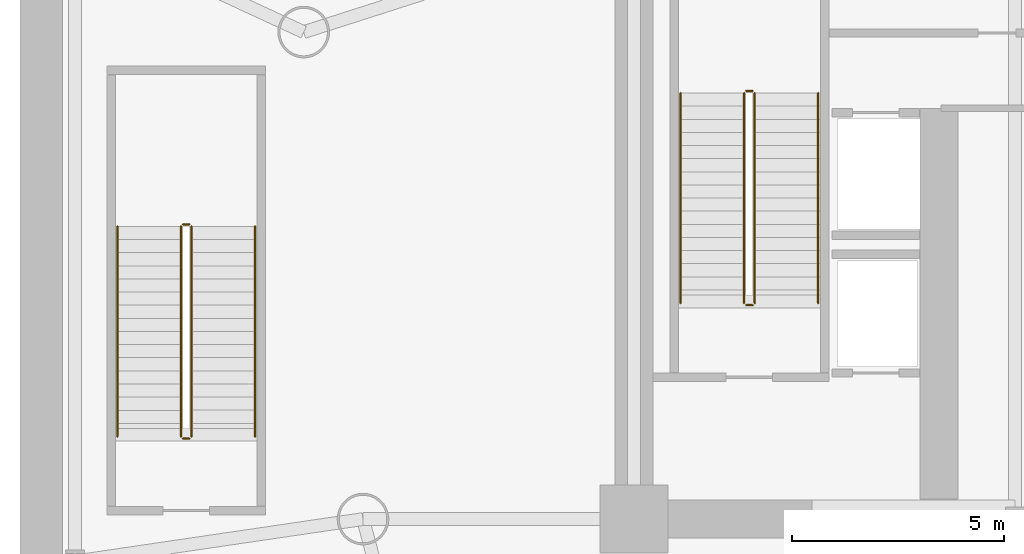
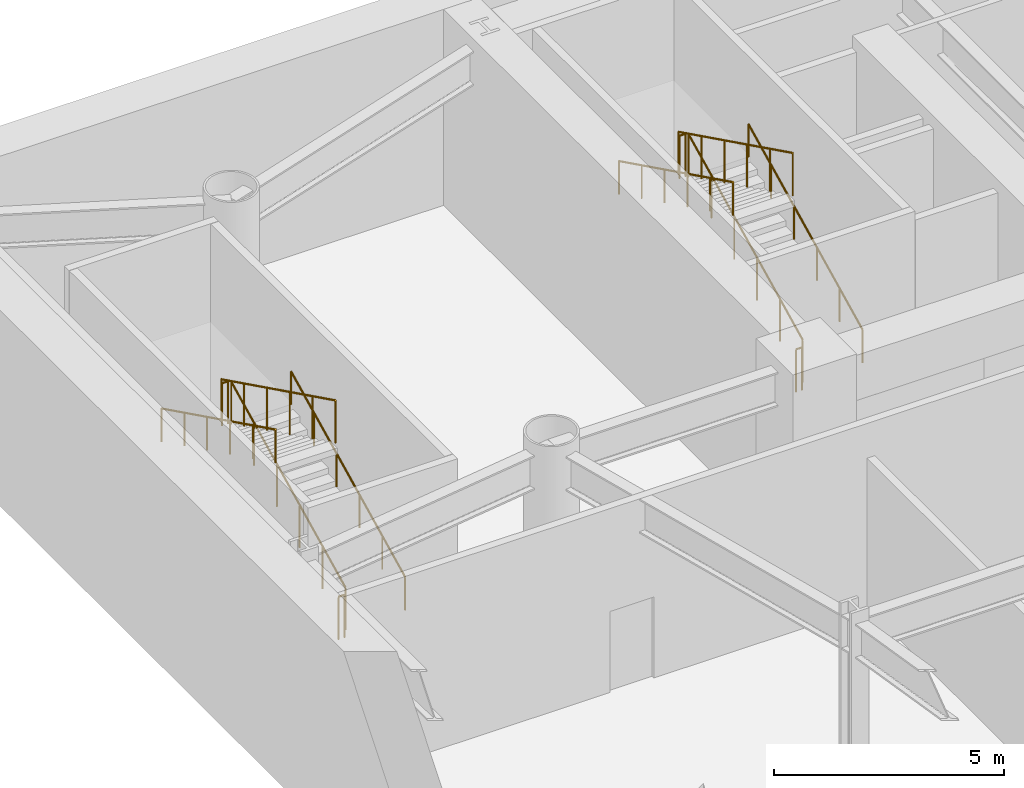
# One storey, part 6 of 9: 12 railings.
"""IFC4 building model written with IfcOpenShell, lengths in metres."""

import ifcopenshell
import ifcopenshell.guid

model = None  # the IFC model being written
_history = None  # IfcOwnerHistory: only IFC2X3 demands one
_inside = {}  # id of a spatial element -> (the spatial element, [elements in it])
_under = {}  # id of a project, library or spatial element -> (it, [spatial elements below it])
_declared = {}  # id of a project -> (the project, [libraries it declares])
_typed = {}  # id of a type object -> (the type object, [elements of that type])
_made_of = {}  # id of a material, layer set ... -> (it, [elements and type objects made of it])


def new_model(schema):
    """Start an empty IFC model of exactly this schema.

    Asked for "IFC4X3", IfcOpenShell would pick the latest addendum, in which some entities
    have other attributes; the version numbers below select the first issue.
    IFC2X3 requires an IfcOwnerHistory on every rooted entity: one is made here for all.
    """
    global model, _history
    if schema == "IFC4X3":
        model = ifcopenshell.file(schema_version=(4, 3, 0, 0))
    else:
        model = ifcopenshell.file(schema=schema)
    _inside.clear()
    _under.clear()
    _declared.clear()
    _typed.clear()
    _made_of.clear()
    _history = None
    if model.schema == "IFC2X3":
        org = make("IfcOrganization", Name="unknown")
        user = make(
            "IfcPersonAndOrganization",
            ThePerson=make("IfcPerson", FamilyName="unknown"),
            TheOrganization=org,
        )
        app = make(
            "IfcApplication",
            ApplicationDeveloper=org,
            Version="unknown",
            ApplicationFullName="unknown",
            ApplicationIdentifier="unknown",
        )
        _history = make(
            "IfcOwnerHistory",
            OwningUser=user,
            OwningApplication=app,
            ChangeAction="ADDED",
            CreationDate=0,
        )
    return model


def make(cls, **values):
    """One entity of the class cls with the attributes given. An attribute that is None is left unset."""
    return model.create_entity(
        cls, **{name: value for name, value in values.items() if value is not None}
    )


def rooted(cls, **values):
    """An entity with a GlobalId (a new one), such as an element, a storey or a relation."""
    return make(cls, GlobalId=ifcopenshell.guid.new(), OwnerHistory=_history, **values)


def si_unit(unit_type, name, prefix=None):
    """IfcSIUnit, for example si_unit("LENGTHUNIT", "METRE", prefix="MILLI")."""
    return make("IfcSIUnit", UnitType=unit_type, Prefix=prefix, Name=name)


def assignment(units):
    """IfcUnitAssignment: the units of a project."""
    return None if units is None else make("IfcUnitAssignment", Units=units)


def point(xyz):
    """IfcCartesianPoint."""
    return None if xyz is None else make("IfcCartesianPoint", Coordinates=xyz)


def direction(xyz):
    """IfcDirection."""
    return None if xyz is None else make("IfcDirection", DirectionRatios=xyz)


def frame(location, z_axis=None, x_axis=None):
    """IfcAxis2Placement3D, a coordinate frame: its origin and axes. An axis left out is left unset."""
    return make(
        "IfcAxis2Placement3D",
        Location=point(location),
        Axis=direction(z_axis),
        RefDirection=direction(x_axis),
    )


def frame_2d(location, x_axis=None):
    """IfcAxis2Placement2D, a coordinate frame in the plane: its origin and x axis."""
    return make(
        "IfcAxis2Placement2D", Location=point(location), RefDirection=direction(x_axis)
    )


def origin():
    """The frame at (0, 0, 0) with its axes left unset."""
    return frame((0.0, 0.0, 0.0))


def origin_2d():
    """The frame at (0, 0) in the plane with its x axis left unset."""
    return frame_2d((0.0, 0.0))


def place(relative_to, where):
    """IfcLocalPlacement: puts the frame where relative to a parent placement (None: the world)."""
    return make(
        "IfcLocalPlacement", PlacementRelTo=relative_to, RelativePlacement=where
    )


def context(
    kind, dimensions, precision=None, world=None, true_north=None, identifier=None
):
    """IfcGeometricRepresentationContext, for example the 3D "Model" context."""
    return make(
        "IfcGeometricRepresentationContext",
        ContextIdentifier=identifier,
        ContextType=kind,
        CoordinateSpaceDimension=dimensions,
        Precision=precision,
        WorldCoordinateSystem=world,
        TrueNorth=true_north,
    )


def subcontext(parent, identifier, kind, view, scale=None):
    """IfcGeometricRepresentationSubContext, for example "Body" below "Model"."""
    return make(
        "IfcGeometricRepresentationSubContext",
        ContextIdentifier=identifier,
        ContextType=kind,
        ParentContext=parent,
        TargetScale=scale,
        TargetView=view,
    )


def project(units=None, contexts=None):
    """IfcProject with its units and contexts."""
    return rooted(
        "IfcProject",
        Name="project",
        RepresentationContexts=contexts,
        UnitsInContext=assignment(units),
    )


def spatial(cls, under=None, at=None, **own):
    """A site, building, storey or space (cls), placed at a placement, below another one or the project."""
    s = rooted(cls, ObjectPlacement=at, **own)
    if under is not None:
        _under.setdefault(under.id(), (under, []))[1].append(s)
    return s


def profile(cls, at=None, kind="AREA", **sizes):
    """A parametric profile (cls). Its sizes go by their IFC names, for example OverallWidth=200.0."""
    return make(cls, ProfileType=kind, Position=at, **sizes)


def circle(**sizes):
    """IfcCircleProfileDef."""
    return profile("IfcCircleProfileDef", **sizes)


def extrude(swept, where, along, depth):
    """IfcExtrudedAreaSolid: the profile swept, set in the frame where, extruded along a direction by depth."""
    return make(
        "IfcExtrudedAreaSolid",
        SweptArea=swept,
        Position=where,
        ExtrudedDirection=direction(along),
        Depth=depth,
    )


def shape(context_of_items, identifier, shape_type, items):
    """IfcShapeRepresentation: the items that make up one representation, for example the "Body"."""
    return make(
        "IfcShapeRepresentation",
        ContextOfItems=context_of_items,
        RepresentationIdentifier=identifier,
        RepresentationType=shape_type,
        Items=items,
    )


def material(Name=None, Category=None):
    """IfcMaterial."""
    return make("IfcMaterial", Name=Name, Category=Category)


def made_of(thing, what):
    """Note that an element or type object is made of a material, layer set ...; save() writes the relation."""
    if what is not None:
        _made_of.setdefault(what.id(), (what, []))[1].append(thing)
    return thing


def type_object(cls, material=None, **own):
    """A type object (cls), such as IfcWallType, which elements share."""
    return made_of(rooted(cls, **own), material)


def element(
    cls,
    number,
    at=None,
    inside=None,
    cuts=None,
    type_object=None,
    material=None,
    context=None,
    identifier="Body",
    shape_type=None,
    held_by="IfcProductDefinitionShape",
    body=None,
    shapes=None,
    **own,
):
    """One element of the class cls, such as IfcWall. Its Tag is "e" and its number.

    at: its placement. inside: the storey or other place that contains it. cuts: it is an
    opening in that element (IfcRelVoidsElement). A single representation is given by context,
    identifier, shape_type and body (its items); several are given by shapes. held_by: the class
    of the entity that holds the representations. save() writes the other relations.
    """
    e = rooted(cls, Tag="e%d" % number, ObjectPlacement=at, **own)
    if body is not None:
        shapes = [shape(context, identifier, shape_type, body)]
    if shapes is not None:
        e.Representation = make(held_by, Representations=shapes)
    if inside is not None:
        _inside.setdefault(inside.id(), (inside, []))[1].append(e)
    if cuts is not None:
        rooted(
            "IfcRelVoidsElement", RelatingBuildingElement=cuts, RelatedOpeningElement=e
        )
    if type_object is not None:
        _typed.setdefault(type_object.id(), (type_object, []))[1].append(e)
    return made_of(e, material)


def aggregate(whole, parts):
    """IfcRelAggregates: a whole, such as a stair, and the parts it consists of."""
    return rooted("IfcRelAggregates", RelatingObject=whole, RelatedObjects=parts)


def save(model, path):
    """Write the relations noted so far, then the file.

    IfcRelAggregates (storeys below a building ...), IfcRelContainedInSpatialStructure (elements
    in a storey), IfcRelDefinesByType, IfcRelAssociatesMaterial and IfcRelDeclares: one each for
    every whole, place, type object, material and project.
    """
    for whole, parts in _under.values():
        aggregate(whole, parts)
    for where, things in _inside.values():
        rooted(
            "IfcRelContainedInSpatialStructure",
            RelatedElements=things,
            RelatingStructure=where,
        )
    for kind, things in _typed.values():
        rooted("IfcRelDefinesByType", RelatedObjects=things, RelatingType=kind)
    for what, things in _made_of.values():
        rooted("IfcRelAssociatesMaterial", RelatedObjects=things, RelatingMaterial=what)
    for by, libraries in _declared.values():
        rooted("IfcRelDeclares", RelatingContext=by, RelatedDefinitions=libraries)
    model.write(path)


model = new_model("IFC4")

# Units and contexts
model_context = context("Model", 3, precision=1e-05, world=origin(), true_north=direction((0.0, 1.0)))
body_context = subcontext(model_context, "Body", "Model", "MODEL_VIEW")
ifc_project = project(units=[si_unit("LENGTHUNIT", "METRE"), si_unit("AREAUNIT", "SQUARE_METRE"), si_unit("VOLUMEUNIT", "CUBIC_METRE"), si_unit("PLANEANGLEUNIT", "RADIAN"), si_unit("MASSUNIT", "GRAM", prefix="KILO")], contexts=[model_context])

# Site, building, storey
site_placement = place(None, origin())
site = spatial("IfcSite", under=ifc_project, at=site_placement, CompositionType="ELEMENT")
building_placement = place(site_placement, origin())
building = spatial("IfcBuilding", under=site, at=building_placement, Name="Vaeldorn Concourse Tower", CompositionType="ELEMENT")
storey_placement = place(building_placement, frame((0.0, 0.0, -10.39990234375)))
storey = spatial("IfcBuildingStorey", under=building, at=storey_placement, Name="B02", CompositionType="ELEMENT", Elevation=-10.39990234375)

# Railings
ifc_material = material(Name="Anodised Bronze Aluminium", Category="aluminium")
railing_type_1 = type_object("IfcRailingType", Name="RL-STAIR-GUARD", PredefinedType="GUARDRAIL", material=ifc_material)
railing_1_placement = place(storey_placement, frame((16.85009765625, 41.60009765625, 0.15283203125)))
element("IfcRailing", 1, at=railing_1_placement, inside=storey, type_object=railing_type_1, Name="B02 ST-1 stair guard 1", PredefinedType="GUARDRAIL", context=body_context, shape_type="SweptSolid", body=[
    extrude(circle(Radius=0.02392578125, at=origin_2d()), frame((0.0, 0.0, 1.1259765625), z_axis=(0.0, 0.896798178328, 0.442439857323), x_axis=(-1.0, 0.0, 0.0)), (0.0, 0.0, 1.0), 5.53076171875),
    extrude(circle(Radius=0.02099609375, at=origin_2d()), origin(), (0.0, 0.0, 1.0), 1.101806640625),
    extrude(circle(Radius=0.02099609375, at=origin_2d()), frame((0.0, 0.991943359375, 0.489501953125)), (0.0, 0.0, 1.0), 1.101806640625),
    extrude(circle(Radius=0.02099609375, at=origin_2d()), frame((0.0, 1.98388671875, 0.978759765625)), (0.0, 0.0, 1.0), 1.101806640625),
    extrude(circle(Radius=0.02099609375, at=origin_2d()), frame((0.0, 2.97607421875, 1.46826171875)), (0.0, 0.0, 1.0), 1.101806640625),
    extrude(circle(Radius=0.02099609375, at=origin_2d()), frame((0.0, 3.968017578125, 1.95751953125)), (0.0, 0.0, 1.0), 1.101806640625),
    extrude(circle(Radius=0.02099609375, at=origin_2d()), frame((0.0, 4.9599609375, 2.447021484375)), (0.0, 0.0, 1.0), 1.101806640625),
])
railing_2_placement = place(storey_placement, frame((16.800048828125, 46.610107421875, 2.599853515625)))
element("IfcRailing", 2, at=railing_2_placement, inside=storey, type_object=railing_type_1, Name="B02 ST-1 stair guard 2", PredefinedType="GUARDRAIL", context=body_context, shape_type="SweptSolid", body=[
    extrude(circle(Radius=0.02392578125, at=origin_2d()), frame((0.0, 0.0, 1.1259765625), z_axis=(-1.0, 0.0, 0.0), x_axis=(0.0, -1.0, 0.0)), (0.0, 0.0, 1.0), 0.150146484375),
    extrude(circle(Radius=0.02099609375, at=origin_2d()), origin(), (0.0, 0.0, 1.0), 1.101806640625),
    extrude(circle(Radius=0.02099609375, at=origin_2d()), frame((-0.150146484375, 0.0, 0.0)), (0.0, 0.0, 1.0), 1.101806640625),
])
railing_3_placement = place(storey_placement, frame((16.60009765625, 46.56005859375, 2.7529296875)))
element("IfcRailing", 3, at=railing_3_placement, inside=storey, type_object=railing_type_1, Name="B02 ST-1 stair guard 3", PredefinedType="GUARDRAIL", context=body_context, shape_type="SweptSolid", body=[
    extrude(circle(Radius=0.02392578125, at=origin_2d()), frame((0.0, 0.0, 1.1259765625), z_axis=(0.0, -0.896798178328, 0.442439857323), x_axis=(1.0, 0.0, 0.0)), (0.0, 0.0, 1.0), 5.53076171875),
    extrude(circle(Radius=0.02099609375, at=origin_2d()), origin(), (0.0, 0.0, 1.0), 1.101806640625),
    extrude(circle(Radius=0.02099609375, at=origin_2d()), frame((0.0, -0.991943359375, 0.489501953125)), (0.0, 0.0, 1.0), 1.101806640625),
    extrude(circle(Radius=0.02099609375, at=origin_2d()), frame((0.0, -1.98388671875, 0.978759765625)), (0.0, 0.0, 1.0), 1.101806640625),
    extrude(circle(Radius=0.02099609375, at=origin_2d()), frame((0.0, -2.97607421875, 1.46826171875)), (0.0, 0.0, 1.0), 1.101806640625),
    extrude(circle(Radius=0.02099609375, at=origin_2d()), frame((0.0, -3.968017578125, 1.95751953125)), (0.0, 0.0, 1.0), 1.101806640625),
    extrude(circle(Radius=0.02099609375, at=origin_2d()), frame((0.0, -4.9599609375, 2.447021484375)), (0.0, 0.0, 1.0), 1.101806640625),
])
railing_4_placement = place(storey_placement, frame((16.800048828125, 41.550048828125, 0.0)))
element("IfcRailing", 4, at=railing_4_placement, inside=storey, type_object=railing_type_1, Name="B02 ST-1 stair guard 4", PredefinedType="GUARDRAIL", context=body_context, shape_type="SweptSolid", body=[
    extrude(circle(Radius=0.02392578125, at=origin_2d()), frame((0.0, 0.0, 1.1259765625), z_axis=(-1.0, 0.0, 0.0), x_axis=(0.0, -1.0, 0.0)), (0.0, 0.0, 1.0), 0.150146484375),
    extrude(circle(Radius=0.02099609375, at=origin_2d()), origin(), (0.0, 0.0, 1.0), 1.101806640625),
    extrude(circle(Radius=0.02099609375, at=origin_2d()), frame((-0.150146484375, 0.0, 0.0)), (0.0, 0.0, 1.0), 1.101806640625),
])
railing_5_placement = place(storey_placement, frame((3.550048828125, 38.449951171875, 0.15283203125)))
element("IfcRailing", 5, at=railing_5_placement, inside=storey, type_object=railing_type_1, Name="B02 ST-3 stair guard 1", PredefinedType="GUARDRAIL", context=body_context, shape_type="SweptSolid", body=[
    extrude(circle(Radius=0.02392578125, at=origin_2d()), frame((0.0, 0.0, 1.1259765625), z_axis=(0.0, 0.896798178328, 0.442439857323), x_axis=(-1.0, 0.0, 0.0)), (0.0, 0.0, 1.0), 5.53076171875),
    extrude(circle(Radius=0.02099609375, at=origin_2d()), origin(), (0.0, 0.0, 1.0), 1.101806640625),
    extrude(circle(Radius=0.02099609375, at=origin_2d()), frame((0.0, 0.991943359375, 0.489501953125)), (0.0, 0.0, 1.0), 1.101806640625),
    extrude(circle(Radius=0.02099609375, at=origin_2d()), frame((0.0, 1.98388671875, 0.978759765625)), (0.0, 0.0, 1.0), 1.101806640625),
    extrude(circle(Radius=0.02099609375, at=origin_2d()), frame((0.0, 2.97607421875, 1.46826171875)), (0.0, 0.0, 1.0), 1.101806640625),
    extrude(circle(Radius=0.02099609375, at=origin_2d()), frame((0.0, 3.968017578125, 1.95751953125)), (0.0, 0.0, 1.0), 1.101806640625),
    extrude(circle(Radius=0.02099609375, at=origin_2d()), frame((0.0, 4.9599609375, 2.447021484375)), (0.0, 0.0, 1.0), 1.101806640625),
])
railing_6_placement = place(storey_placement, frame((3.5, 43.4599609375, 2.599853515625)))
element("IfcRailing", 6, at=railing_6_placement, inside=storey, type_object=railing_type_1, Name="B02 ST-3 stair guard 2", PredefinedType="GUARDRAIL", context=body_context, shape_type="SweptSolid", body=[
    extrude(circle(Radius=0.02392578125, at=origin_2d()), frame((0.0, 0.0, 1.1259765625), z_axis=(-1.0, 0.0, 0.0), x_axis=(0.0, -1.0, 0.0)), (0.0, 0.0, 1.0), 0.14990234375),
    extrude(circle(Radius=0.02099609375, at=origin_2d()), origin(), (0.0, 0.0, 1.0), 1.101806640625),
    extrude(circle(Radius=0.02099609375, at=origin_2d()), frame((-0.14990234375, 0.0, 0.0)), (0.0, 0.0, 1.0), 1.101806640625),
])
railing_7_placement = place(storey_placement, frame((3.300048828125, 43.409912109375, 2.7529296875)))
element("IfcRailing", 7, at=railing_7_placement, inside=storey, type_object=railing_type_1, Name="B02 ST-3 stair guard 3", PredefinedType="GUARDRAIL", context=body_context, shape_type="SweptSolid", body=[
    extrude(circle(Radius=0.02392578125, at=origin_2d()), frame((0.0, 0.0, 1.1259765625), z_axis=(0.0, -0.896798178328, 0.442439857323), x_axis=(1.0, 0.0, 0.0)), (0.0, 0.0, 1.0), 5.53076171875),
    extrude(circle(Radius=0.02099609375, at=origin_2d()), origin(), (0.0, 0.0, 1.0), 1.101806640625),
    extrude(circle(Radius=0.02099609375, at=origin_2d()), frame((0.0, -0.991943359375, 0.489501953125)), (0.0, 0.0, 1.0), 1.101806640625),
    extrude(circle(Radius=0.02099609375, at=origin_2d()), frame((0.0, -1.98388671875, 0.978759765625)), (0.0, 0.0, 1.0), 1.101806640625),
    extrude(circle(Radius=0.02099609375, at=origin_2d()), frame((0.0, -2.97607421875, 1.46826171875)), (0.0, 0.0, 1.0), 1.101806640625),
    extrude(circle(Radius=0.02099609375, at=origin_2d()), frame((0.0, -3.968017578125, 1.95751953125)), (0.0, 0.0, 1.0), 1.101806640625),
    extrude(circle(Radius=0.02099609375, at=origin_2d()), frame((0.0, -4.9599609375, 2.447021484375)), (0.0, 0.0, 1.0), 1.101806640625),
])
railing_8_placement = place(storey_placement, frame((3.5, 38.39990234375, 0.0)))
element("IfcRailing", 8, at=railing_8_placement, inside=storey, type_object=railing_type_1, Name="B02 ST-3 stair guard 4", PredefinedType="GUARDRAIL", context=body_context, shape_type="SweptSolid", body=[
    extrude(circle(Radius=0.02392578125, at=origin_2d()), frame((0.0, 0.0, 1.1259765625), z_axis=(-1.0, 0.0, 0.0), x_axis=(0.0, -1.0, 0.0)), (0.0, 0.0, 1.0), 0.14990234375),
    extrude(circle(Radius=0.02099609375, at=origin_2d()), origin(), (0.0, 0.0, 1.0), 1.101806640625),
    extrude(circle(Radius=0.02099609375, at=origin_2d()), frame((-0.14990234375, 0.0, 0.0)), (0.0, 0.0, 1.0), 1.101806640625),
])
railing_type_2 = type_object("IfcRailingType", Name="RL-STAIR-HANDRAIL", PredefinedType="HANDRAIL", material=ifc_material)
railing_9_placement = place(storey_placement, frame((18.35009765625, 41.60009765625, 0.15283203125)))
element("IfcRailing", 9, at=railing_9_placement, inside=storey, type_object=railing_type_2, Name="B02 ST-1 stair handrail 1", PredefinedType="HANDRAIL", context=body_context, shape_type="SweptSolid", body=[
    extrude(circle(Radius=0.02392578125, at=origin_2d()), frame((0.0, 0.0, 0.8759765625), z_axis=(0.0, 0.896798178328, 0.442439857323), x_axis=(-1.0, 0.0, 0.0)), (0.0, 0.0, 1.0), 5.53076171875),
    extrude(circle(Radius=0.02099609375, at=origin_2d()), origin(), (0.0, 0.0, 1.0), 0.851806640625),
    extrude(circle(Radius=0.02099609375, at=origin_2d()), frame((0.0, 0.991943359375, 0.489501953125)), (0.0, 0.0, 1.0), 0.851806640625),
    extrude(circle(Radius=0.02099609375, at=origin_2d()), frame((0.0, 1.98388671875, 0.978759765625)), (0.0, 0.0, 1.0), 0.851806640625),
    extrude(circle(Radius=0.02099609375, at=origin_2d()), frame((0.0, 2.97607421875, 1.46826171875)), (0.0, 0.0, 1.0), 0.851806640625),
    extrude(circle(Radius=0.02099609375, at=origin_2d()), frame((0.0, 3.968017578125, 1.95751953125)), (0.0, 0.0, 1.0), 0.851806640625),
    extrude(circle(Radius=0.02099609375, at=origin_2d()), frame((0.0, 4.9599609375, 2.447021484375)), (0.0, 0.0, 1.0), 0.851806640625),
])
railing_10_placement = place(storey_placement, frame((15.10009765625, 46.56005859375, 2.7529296875)))
element("IfcRailing", 10, at=railing_10_placement, inside=storey, type_object=railing_type_2, Name="B02 ST-1 stair handrail 2", PredefinedType="HANDRAIL", context=body_context, shape_type="SweptSolid", body=[
    extrude(circle(Radius=0.02392578125, at=origin_2d()), frame((0.0, 0.0, 0.8759765625), z_axis=(0.0, -0.896798178328, 0.442439857323), x_axis=(1.0, 0.0, 0.0)), (0.0, 0.0, 1.0), 5.53076171875),
    extrude(circle(Radius=0.02099609375, at=origin_2d()), origin(), (0.0, 0.0, 1.0), 0.851806640625),
    extrude(circle(Radius=0.02099609375, at=origin_2d()), frame((0.0, -0.991943359375, 0.489501953125)), (0.0, 0.0, 1.0), 0.851806640625),
    extrude(circle(Radius=0.02099609375, at=origin_2d()), frame((0.0, -1.98388671875, 0.978759765625)), (0.0, 0.0, 1.0), 0.851806640625),
    extrude(circle(Radius=0.02099609375, at=origin_2d()), frame((0.0, -2.97607421875, 1.46826171875)), (0.0, 0.0, 1.0), 0.851806640625),
    extrude(circle(Radius=0.02099609375, at=origin_2d()), frame((0.0, -3.968017578125, 1.95751953125)), (0.0, 0.0, 1.0), 0.851806640625),
    extrude(circle(Radius=0.02099609375, at=origin_2d()), frame((0.0, -4.9599609375, 2.447021484375)), (0.0, 0.0, 1.0), 0.851806640625),
])
railing_11_placement = place(storey_placement, frame((5.050048828125, 38.449951171875, 0.15283203125)))
element("IfcRailing", 11, at=railing_11_placement, inside=storey, type_object=railing_type_2, Name="B02 ST-3 stair handrail 1", PredefinedType="HANDRAIL", context=body_context, shape_type="SweptSolid", body=[
    extrude(circle(Radius=0.02392578125, at=origin_2d()), frame((0.0, 0.0, 0.8759765625), z_axis=(0.0, 0.896798178328, 0.442439857323), x_axis=(-1.0, 0.0, 0.0)), (0.0, 0.0, 1.0), 5.53076171875),
    extrude(circle(Radius=0.02099609375, at=origin_2d()), origin(), (0.0, 0.0, 1.0), 0.851806640625),
    extrude(circle(Radius=0.02099609375, at=origin_2d()), frame((0.0, 0.991943359375, 0.489501953125)), (0.0, 0.0, 1.0), 0.851806640625),
    extrude(circle(Radius=0.02099609375, at=origin_2d()), frame((0.0, 1.98388671875, 0.978759765625)), (0.0, 0.0, 1.0), 0.851806640625),
    extrude(circle(Radius=0.02099609375, at=origin_2d()), frame((0.0, 2.97607421875, 1.46826171875)), (0.0, 0.0, 1.0), 0.851806640625),
    extrude(circle(Radius=0.02099609375, at=origin_2d()), frame((0.0, 3.968017578125, 1.95751953125)), (0.0, 0.0, 1.0), 0.851806640625),
    extrude(circle(Radius=0.02099609375, at=origin_2d()), frame((0.0, 4.9599609375, 2.447021484375)), (0.0, 0.0, 1.0), 0.851806640625),
])
railing_12_placement = place(storey_placement, frame((1.800048828125, 43.409912109375, 2.7529296875)))
element("IfcRailing", 12, at=railing_12_placement, inside=storey, type_object=railing_type_2, Name="B02 ST-3 stair handrail 2", PredefinedType="HANDRAIL", context=body_context, shape_type="SweptSolid", body=[
    extrude(circle(Radius=0.02392578125, at=origin_2d()), frame((0.0, 0.0, 0.8759765625), z_axis=(0.0, -0.896798178328, 0.442439857323), x_axis=(1.0, 0.0, 0.0)), (0.0, 0.0, 1.0), 5.53076171875),
    extrude(circle(Radius=0.02099609375, at=origin_2d()), origin(), (0.0, 0.0, 1.0), 0.851806640625),
    extrude(circle(Radius=0.02099609375, at=origin_2d()), frame((0.0, -0.991943359375, 0.489501953125)), (0.0, 0.0, 1.0), 0.851806640625),
    extrude(circle(Radius=0.02099609375, at=origin_2d()), frame((0.0, -1.98388671875, 0.978759765625)), (0.0, 0.0, 1.0), 0.851806640625),
    extrude(circle(Radius=0.02099609375, at=origin_2d()), frame((0.0, -2.97607421875, 1.46826171875)), (0.0, 0.0, 1.0), 0.851806640625),
    extrude(circle(Radius=0.02099609375, at=origin_2d()), frame((0.0, -3.968017578125, 1.95751953125)), (0.0, 0.0, 1.0), 0.851806640625),
    extrude(circle(Radius=0.02099609375, at=origin_2d()), frame((0.0, -4.9599609375, 2.447021484375)), (0.0, 0.0, 1.0), 0.851806640625),
])

save(model, "model.ifc")
